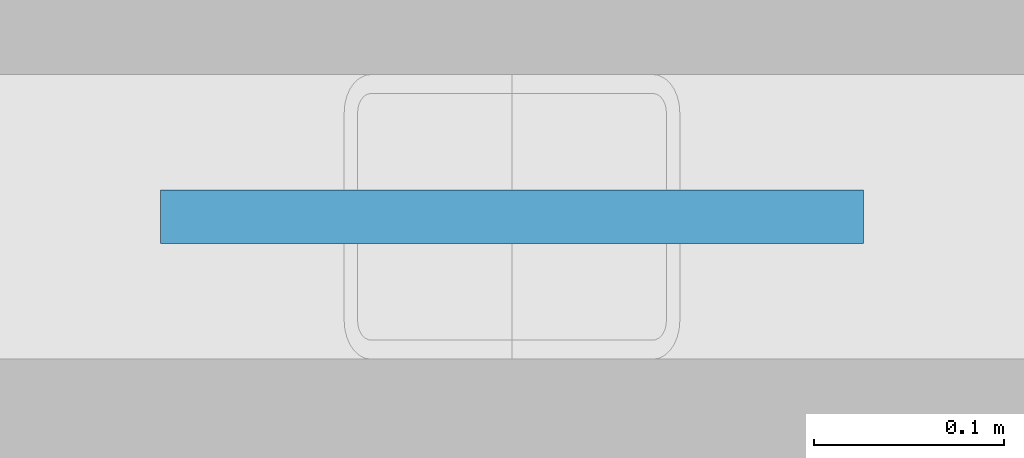
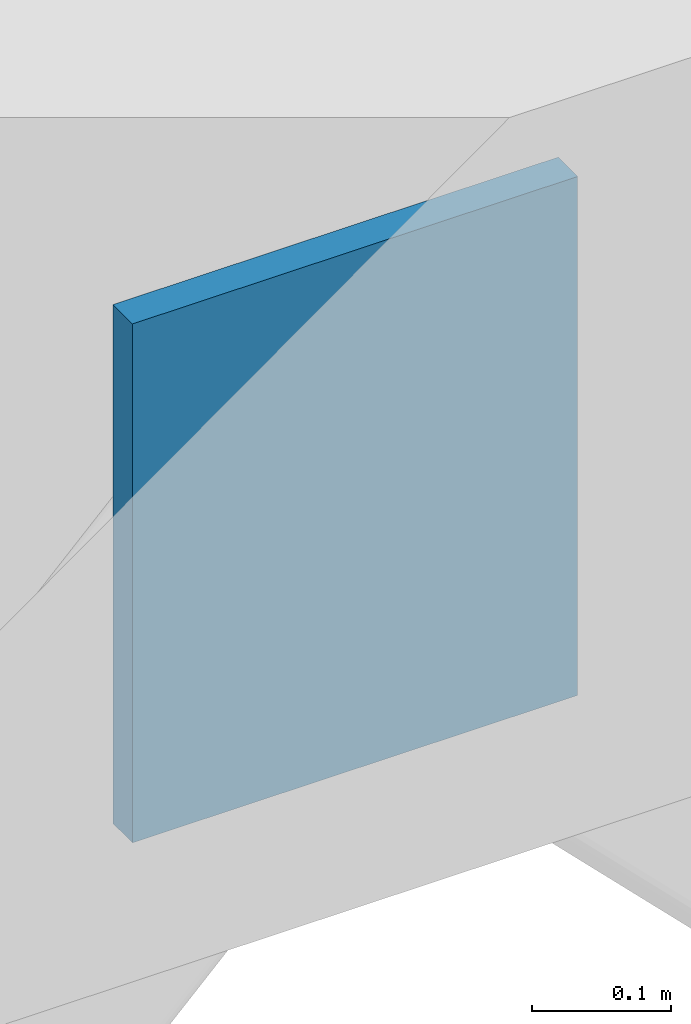
# One storey, part 74 of 102: 1 plate.
"""IFC4 building model written with IfcOpenShell, lengths in metres."""

from ifc_helpers import new_model, si_unit, direction, frame, origin, origin_2d, place, context, subcontext, project, spatial, rectangle, extrude, material, layer, layer_set, type_object, element, save


model = new_model("IFC4")

# Units and contexts
model_context = context("Model", 3, precision=1e-05, world=origin(), true_north=direction((0.0, 1.0)))
body_context = subcontext(model_context, "Body", "Model", "MODEL_VIEW")
ifc_project = project(units=[si_unit("LENGTHUNIT", "METRE"), si_unit("AREAUNIT", "SQUARE_METRE"), si_unit("VOLUMEUNIT", "CUBIC_METRE"), si_unit("PLANEANGLEUNIT", "RADIAN"), si_unit("MASSUNIT", "GRAM", prefix="KILO")], contexts=[model_context])

# Site, building, storey
site_placement = place(None, origin())
site = spatial("IfcSite", under=ifc_project, at=site_placement, CompositionType="ELEMENT")
building_placement = place(site_placement, origin())
building = spatial("IfcBuilding", under=site, at=building_placement, Name="Kolvemor Railside Polytechnic", CompositionType="ELEMENT")
storey_placement = place(building_placement, origin())
storey = spatial("IfcBuildingStorey", under=building, at=storey_placement, Name="L00", CompositionType="ELEMENT", Elevation=0.0)

# Plate
ifc_material = material(Name="Steel S355", Category="steel")
ifc_layer = layer(ifc_material, 0.028076171875, Name="PLT-GUSSET-2")
ifc_layer_set = layer_set([ifc_layer], Name="Steel S355")
plate_type = type_object("IfcPlateType", Name="PLT-GUSSET-2", PredefinedType="USERDEFINED", material=ifc_layer_set)
plate_placement = place(storey_placement, frame((148.800048828125, 120.0, 4.721923828125), z_axis=(0.0, 0.0, 1.0), x_axis=(1.0, 0.0, 0.0)))
element("IfcPlate", 1, at=plate_placement, inside=storey, type_object=plate_type, Name="Brace Chevron Gusset Plate GP-BR02", ObjectType="GUSSET PLATE", PredefinedType="USERDEFINED", context=body_context, shape_type="SweptSolid", body=[
    extrude(rectangle(XDim=0.3701171875, YDim=0.028076171875, at=origin_2d()), origin(), (0.0, 0.0, 1.0), 0.4560546875),
])

save(model, "model.ifc")
